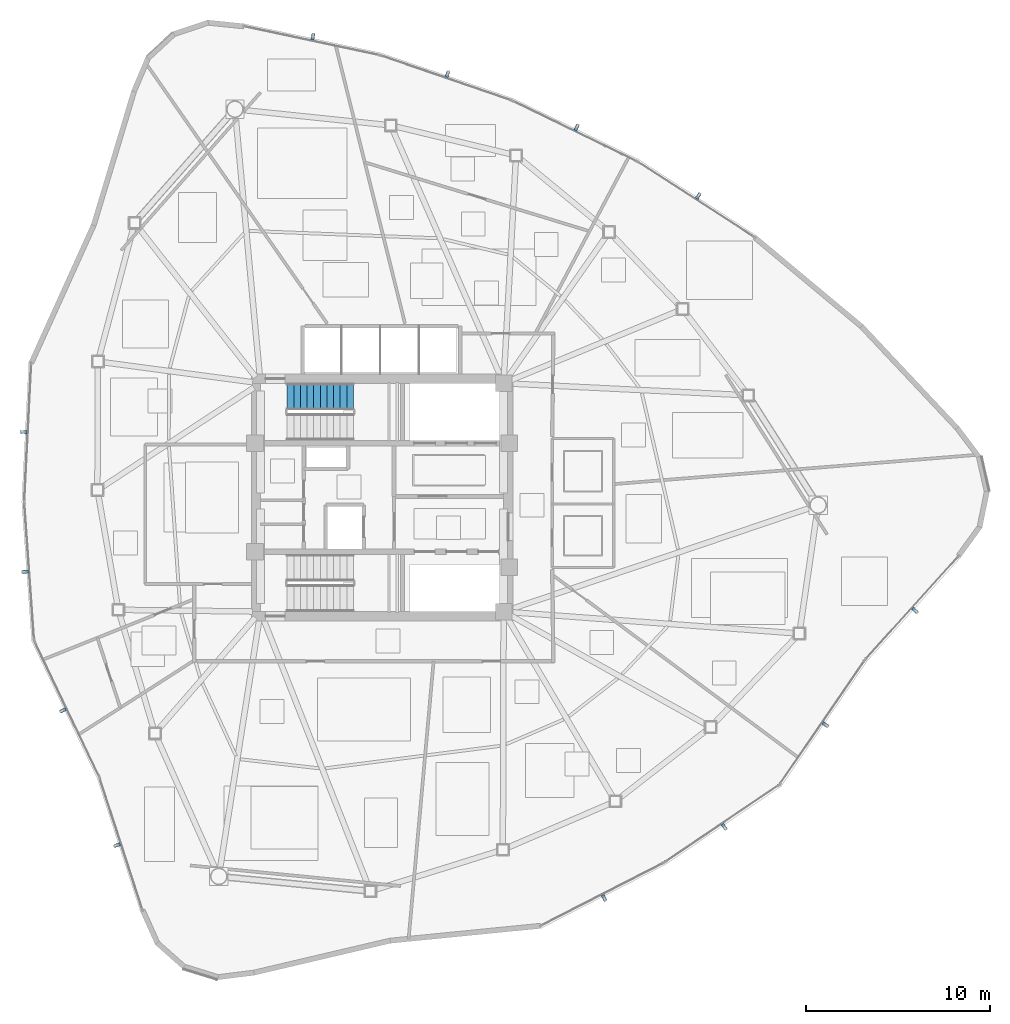
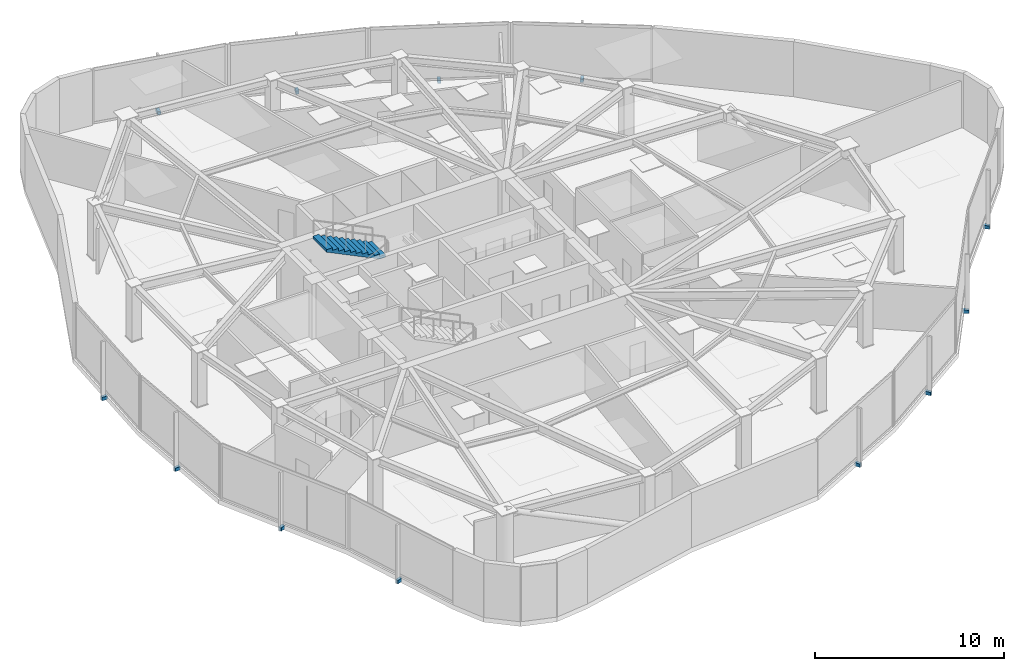
# One storey, part 13 of 17: 12 discrete accessories, 1 stair flight, 1 element without a shape of its own.
"""IFC4 building model written with IfcOpenShell, lengths in metres."""

from ifc_helpers import new_model, si_unit, direction, frame, origin, origin_2d, place, context, subcontext, project, spatial, polyline, rectangle, outline, extrude, source, transform, mapped, material, type_object, type_shapes, element, aggregate, save


model = new_model("IFC4")

# Units and contexts
model_context = context("Model", 3, precision=1e-05, world=origin(), true_north=direction((0.0, 1.0)))
body_context = subcontext(model_context, "Body", "Model", "MODEL_VIEW")
ifc_project = project(units=[si_unit("LENGTHUNIT", "METRE"), si_unit("AREAUNIT", "SQUARE_METRE"), si_unit("VOLUMEUNIT", "CUBIC_METRE"), si_unit("PLANEANGLEUNIT", "RADIAN"), si_unit("MASSUNIT", "GRAM", prefix="KILO")], contexts=[model_context])

# Site, building, storey
site_placement = place(None, origin())
site = spatial("IfcSite", under=ifc_project, at=site_placement, CompositionType="ELEMENT")
building_placement = place(site_placement, origin())
building = spatial("IfcBuilding", under=site, at=building_placement, Name="Tavelor Broadcast Tower", CompositionType="ELEMENT")
storey_placement = place(building_placement, frame((0.0, 0.0, 161.800048828125)))
storey = spatial("IfcBuildingStorey", under=building, at=storey_placement, Name="L38", CompositionType="ELEMENT", Elevation=161.800048828125)

# Stair, stair flight
ifc_material_1 = material(Name="Concrete C40/50", Category="concrete")
stair_type = type_object("IfcStairType", Name="Reinforced Concrete Protected Dogleg Stair 1450 mm", PredefinedType="HALF_TURN_STAIR", material=ifc_material_1)
stair_placement = place(storey_placement, origin())
stair = element("IfcStair", 1, at=stair_placement, inside=storey, type_object=stair_type, Name="L38 Protected Core Exit Stair ST1", PredefinedType="HALF_TURN_STAIR")
stair_flight_type = type_object("IfcStairFlightType", Name="Reinforced Concrete Stair Flight 1450 mm", PredefinedType="STRAIGHT", material=ifc_material_1)
stair_flight_placement = place(storey_placement, frame((48.449951171875, 50.47509765625, 1.925048828125), z_axis=(0.0, 0.0, 1.0), x_axis=(-1.0, 0.0, 0.0)))
stair_flight = element("IfcStairFlight", 2, at=stair_flight_placement, type_object=stair_flight_type, Name="ST1 flight 2", NumberOfRisers=11, NumberOfTreads=10, PredefinedType="STRAIGHT", RiserHeight=0.175, TreadLength=0.36, context=body_context, shape_type="SweptSolid", body=[
    extrude(outline(polyline([(0.0, 0.0), (0.0, 0.175048828125), (0.360107421875, 0.175048828125), (0.360107421875, 0.35009765625), (0.719970703125, 0.35009765625), (0.719970703125, 0.52490234375), (1.080078125, 0.52490234375), (1.080078125, 0.699951171875), (1.43994140625, 0.699951171875), (1.43994140625, 0.875), (1.800048828125, 0.875), (1.800048828125, 1.050048828125), (2.159912109375, 1.050048828125), (2.159912109375, 1.22509765625), (2.52001953125, 1.22509765625), (2.52001953125, 1.39990234375), (2.8798828125, 1.39990234375), (2.8798828125, 1.574951171875), (3.239990234375, 1.574951171875), (3.239990234375, 1.75), (3.60009765625, 1.75), (3.60009765625, 1.925048828125), (3.60009765625, 1.583251953125), (0.3427734375, 0.0), (0.0, 0.0)])), frame((0.0, 0.72509765625, 0.0), z_axis=(0.0, -1.0, 0.0), x_axis=(1.0, 0.0, 0.0)), (0.0, 0.0, 1.0), 1.449951171875),
])
aggregate(stair, [stair_flight])

# Discrete accessories
ifc_material_2 = material(Name="Steel S355", Category="steel")
discrete_accessory_type = type_object("IfcDiscreteAccessoryType", Name="Stainless Baguette Outrigger Support Bracket 260x180", PredefinedType="BRACKET", material=ifc_material_2)
shared_shape = source(origin(), body_context, "Body", "SweptSolid", [
    extrude(rectangle(XDim=0.179931640625, YDim=0.340087890625, at=origin_2d()), origin(), (0.0, 0.0, 1.0), 0.216064453125),
])
type_shapes(discrete_accessory_type, [shared_shape])
for number, where, z_axis, x_axis, name in (
    (3, (30.544677734375, 48.55126953125, -0.25830078125), (0.0, 0.0, 1.0), (-0.05024431818, -0.998736956606, 0.0), "L38 Baguette Outrigger Bracket 385"),
    (4, (30.6240234375, 40.966796875, -0.25830078125), (0.0, 0.0, 1.0), (0.070975175783, -0.997478082177, 0.0), "L38 Baguette Outrigger Bracket 386"),
    (5, (32.677001953125, 33.439208984375, -0.25830078125), (0.0, 0.0, 1.0), (0.431298587031, -0.902209248913, 0.0), "L38 Baguette Outrigger Bracket 387"),
    (6, (35.619873046875, 26.126220703125, -0.25830078125), (0.0, 0.0, 1.0), (0.308684994204, -0.951164325631, 0.0), "L38 Baguette Outrigger Bracket 388"),
    (7, (62.05224609375, 23.2578125, -0.25830078125), (0.0, 0.0, 1.0), (0.889974159838, 0.456010959102, 0.0), "L38 Baguette Outrigger Bracket 389"),
    (8, (68.580810546875, 27.118896484375, -0.25830078125), (0.0, 0.0, 1.0), (0.828255984098, 0.560349912828, 0.0), "L38 Baguette Outrigger Bracket 390"),
    (9, (74.073486328125, 32.660400390625, -0.25830078125), (0.0, 0.0, 1.0), (0.565542903589, 0.82471887586, 0.0), "L38 Baguette Outrigger Bracket 391"),
    (10, (78.935302734375, 38.865478515625, -0.25830078125), (0.0, 0.0, 1.0), (0.669389972068, 0.742911209563, 0.0), "L38 Baguette Outrigger Bracket 392"),
    (11, (67.17236328125, 61.361328125, -0.25830078125), (0.0, 0.0, 1.0), (-0.839809417029, 0.542881334243, 0.0), "L38 Baguette Outrigger Bracket 393"),
    (12, (60.564208984375, 65.0849609375, -0.25830078125), (0.0, 0.0, 1.0), (-0.899405251566, 0.437115766651, 0.0), "L38 Baguette Outrigger Bracket 394"),
    (13, (53.553955078125, 67.9814453125, -0.25830078125), (0.0, 0.0, 1.0), (-0.945688913069, 0.325073037483, 0.0), "L38 Baguette Outrigger Bracket 395"),
    (14, (46.244873046875, 70.00830078125, -0.25830078125), (0.0, 0.0, 1.0), (-0.978074966272, 0.208253116068, 0.0), "L38 Baguette Outrigger Bracket 396"),
):
    element("IfcDiscreteAccessory", number, at=place(storey_placement, frame(where, z_axis=z_axis, x_axis=x_axis)), inside=storey, type_object=discrete_accessory_type, Name=name, PredefinedType="BRACKET", context=body_context, shape_type="MappedRepresentation", body=[
        mapped(shared_shape, transform((0.0, 0.0, 0.0), scale=1.0)),
    ])

save(model, "model.ifc")
